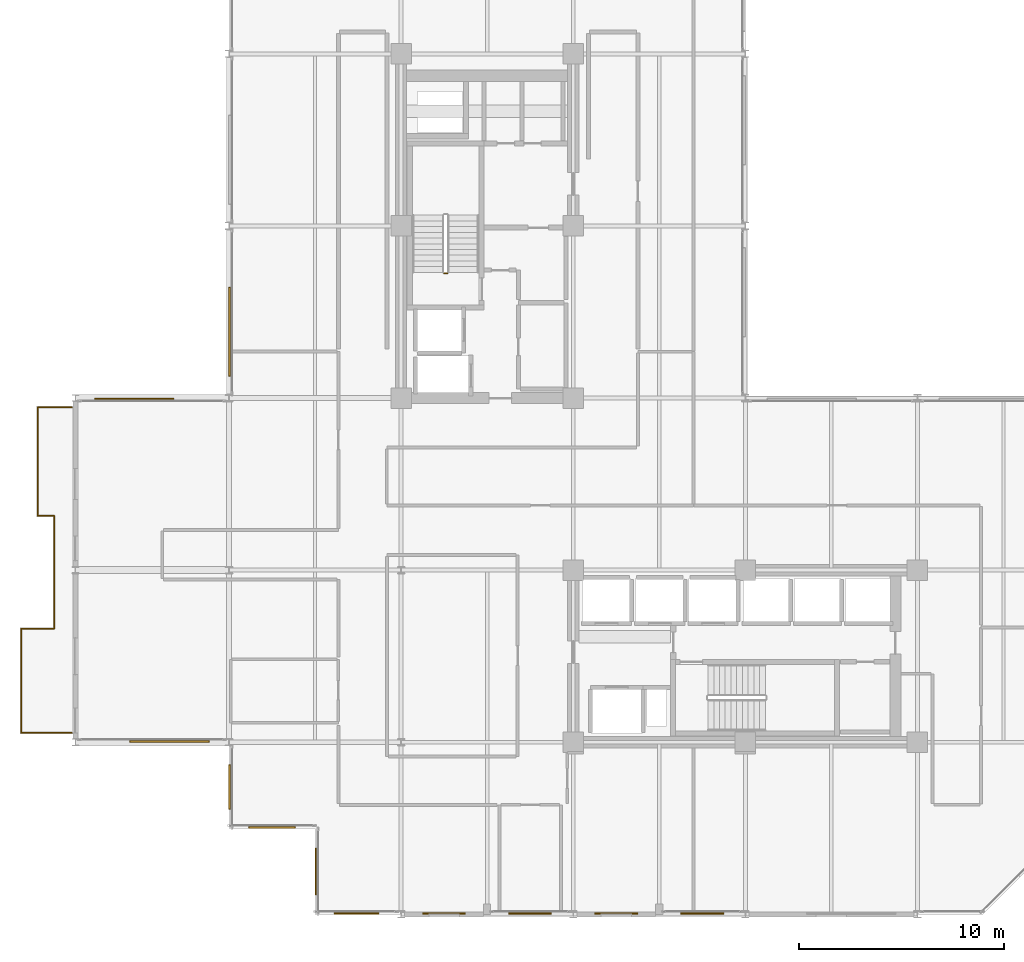
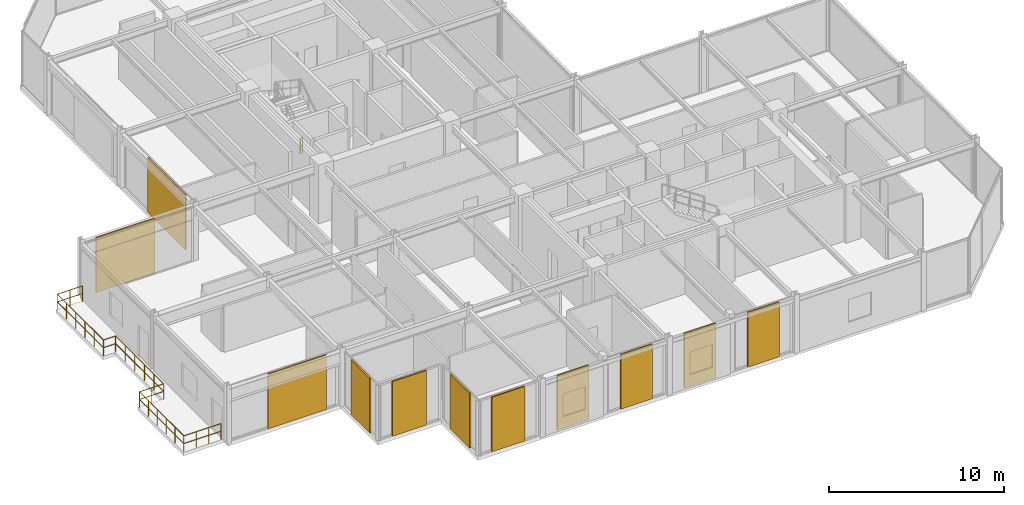
# One storey, part 27 of 29: 11 coverings, 8 railings.
"""IFC4 building model written with IfcOpenShell, lengths in metres."""

import ifcopenshell
import ifcopenshell.guid

model = None  # the IFC model being written
_history = None  # IfcOwnerHistory: only IFC2X3 demands one
_inside = {}  # id of a spatial element -> (the spatial element, [elements in it])
_under = {}  # id of a project, library or spatial element -> (it, [spatial elements below it])
_declared = {}  # id of a project -> (the project, [libraries it declares])
_typed = {}  # id of a type object -> (the type object, [elements of that type])
_made_of = {}  # id of a material, layer set ... -> (it, [elements and type objects made of it])


def new_model(schema):
    """Start an empty IFC model of exactly this schema.

    Asked for "IFC4X3", IfcOpenShell would pick the latest addendum, in which some entities
    have other attributes; the version numbers below select the first issue.
    IFC2X3 requires an IfcOwnerHistory on every rooted entity: one is made here for all.
    """
    global model, _history
    if schema == "IFC4X3":
        model = ifcopenshell.file(schema_version=(4, 3, 0, 0))
    else:
        model = ifcopenshell.file(schema=schema)
    _inside.clear()
    _under.clear()
    _declared.clear()
    _typed.clear()
    _made_of.clear()
    _history = None
    if model.schema == "IFC2X3":
        org = make("IfcOrganization", Name="unknown")
        user = make(
            "IfcPersonAndOrganization",
            ThePerson=make("IfcPerson", FamilyName="unknown"),
            TheOrganization=org,
        )
        app = make(
            "IfcApplication",
            ApplicationDeveloper=org,
            Version="unknown",
            ApplicationFullName="unknown",
            ApplicationIdentifier="unknown",
        )
        _history = make(
            "IfcOwnerHistory",
            OwningUser=user,
            OwningApplication=app,
            ChangeAction="ADDED",
            CreationDate=0,
        )
    return model


def make(cls, **values):
    """One entity of the class cls with the attributes given. An attribute that is None is left unset."""
    return model.create_entity(
        cls, **{name: value for name, value in values.items() if value is not None}
    )


def rooted(cls, **values):
    """An entity with a GlobalId (a new one), such as an element, a storey or a relation."""
    return make(cls, GlobalId=ifcopenshell.guid.new(), OwnerHistory=_history, **values)


def si_unit(unit_type, name, prefix=None):
    """IfcSIUnit, for example si_unit("LENGTHUNIT", "METRE", prefix="MILLI")."""
    return make("IfcSIUnit", UnitType=unit_type, Prefix=prefix, Name=name)


def assignment(units):
    """IfcUnitAssignment: the units of a project."""
    return None if units is None else make("IfcUnitAssignment", Units=units)


def point(xyz):
    """IfcCartesianPoint."""
    return None if xyz is None else make("IfcCartesianPoint", Coordinates=xyz)


def direction(xyz):
    """IfcDirection."""
    return None if xyz is None else make("IfcDirection", DirectionRatios=xyz)


def frame(location, z_axis=None, x_axis=None):
    """IfcAxis2Placement3D, a coordinate frame: its origin and axes. An axis left out is left unset."""
    return make(
        "IfcAxis2Placement3D",
        Location=point(location),
        Axis=direction(z_axis),
        RefDirection=direction(x_axis),
    )


def frame_2d(location, x_axis=None):
    """IfcAxis2Placement2D, a coordinate frame in the plane: its origin and x axis."""
    return make(
        "IfcAxis2Placement2D", Location=point(location), RefDirection=direction(x_axis)
    )


def origin():
    """The frame at (0, 0, 0) with its axes left unset."""
    return frame((0.0, 0.0, 0.0))


def origin_2d():
    """The frame at (0, 0) in the plane with its x axis left unset."""
    return frame_2d((0.0, 0.0))


def place(relative_to, where):
    """IfcLocalPlacement: puts the frame where relative to a parent placement (None: the world)."""
    return make(
        "IfcLocalPlacement", PlacementRelTo=relative_to, RelativePlacement=where
    )


def context(
    kind, dimensions, precision=None, world=None, true_north=None, identifier=None
):
    """IfcGeometricRepresentationContext, for example the 3D "Model" context."""
    return make(
        "IfcGeometricRepresentationContext",
        ContextIdentifier=identifier,
        ContextType=kind,
        CoordinateSpaceDimension=dimensions,
        Precision=precision,
        WorldCoordinateSystem=world,
        TrueNorth=true_north,
    )


def subcontext(parent, identifier, kind, view, scale=None):
    """IfcGeometricRepresentationSubContext, for example "Body" below "Model"."""
    return make(
        "IfcGeometricRepresentationSubContext",
        ContextIdentifier=identifier,
        ContextType=kind,
        ParentContext=parent,
        TargetScale=scale,
        TargetView=view,
    )


def project(units=None, contexts=None):
    """IfcProject with its units and contexts."""
    return rooted(
        "IfcProject",
        Name="project",
        RepresentationContexts=contexts,
        UnitsInContext=assignment(units),
    )


def spatial(cls, under=None, at=None, **own):
    """A site, building, storey or space (cls), placed at a placement, below another one or the project."""
    s = rooted(cls, ObjectPlacement=at, **own)
    if under is not None:
        _under.setdefault(under.id(), (under, []))[1].append(s)
    return s


def profile(cls, at=None, kind="AREA", **sizes):
    """A parametric profile (cls). Its sizes go by their IFC names, for example OverallWidth=200.0."""
    return make(cls, ProfileType=kind, Position=at, **sizes)


def rectangle(**sizes):
    """IfcRectangleProfileDef."""
    return profile("IfcRectangleProfileDef", **sizes)


def circle(**sizes):
    """IfcCircleProfileDef."""
    return profile("IfcCircleProfileDef", **sizes)


def extrude(swept, where, along, depth):
    """IfcExtrudedAreaSolid: the profile swept, set in the frame where, extruded along a direction by depth."""
    return make(
        "IfcExtrudedAreaSolid",
        SweptArea=swept,
        Position=where,
        ExtrudedDirection=direction(along),
        Depth=depth,
    )


def shape(context_of_items, identifier, shape_type, items):
    """IfcShapeRepresentation: the items that make up one representation, for example the "Body"."""
    return make(
        "IfcShapeRepresentation",
        ContextOfItems=context_of_items,
        RepresentationIdentifier=identifier,
        RepresentationType=shape_type,
        Items=items,
    )


def material(Name=None, Category=None):
    """IfcMaterial."""
    return make("IfcMaterial", Name=Name, Category=Category)


def layer(
    of_material, thickness, ventilated=None, Name=None, Category=None, Priority=None
):
    """IfcMaterialLayer: one layer of a wall or slab, of a material (None: an air gap)."""
    return make(
        "IfcMaterialLayer",
        Material=of_material,
        LayerThickness=thickness,
        IsVentilated=ventilated,
        Name=Name,
        Category=Category,
        Priority=Priority,
    )


def layer_set(layers, Name=None):
    """IfcMaterialLayerSet."""
    return make("IfcMaterialLayerSet", MaterialLayers=layers, LayerSetName=Name)


def made_of(thing, what):
    """Note that an element or type object is made of a material, layer set ...; save() writes the relation."""
    if what is not None:
        _made_of.setdefault(what.id(), (what, []))[1].append(thing)
    return thing


def type_object(cls, material=None, **own):
    """A type object (cls), such as IfcWallType, which elements share."""
    return made_of(rooted(cls, **own), material)


def element(
    cls,
    number,
    at=None,
    inside=None,
    cuts=None,
    type_object=None,
    material=None,
    context=None,
    identifier="Body",
    shape_type=None,
    held_by="IfcProductDefinitionShape",
    body=None,
    shapes=None,
    **own,
):
    """One element of the class cls, such as IfcWall. Its Tag is "e" and its number.

    at: its placement. inside: the storey or other place that contains it. cuts: it is an
    opening in that element (IfcRelVoidsElement). A single representation is given by context,
    identifier, shape_type and body (its items); several are given by shapes. held_by: the class
    of the entity that holds the representations. save() writes the other relations.
    """
    e = rooted(cls, Tag="e%d" % number, ObjectPlacement=at, **own)
    if body is not None:
        shapes = [shape(context, identifier, shape_type, body)]
    if shapes is not None:
        e.Representation = make(held_by, Representations=shapes)
    if inside is not None:
        _inside.setdefault(inside.id(), (inside, []))[1].append(e)
    if cuts is not None:
        rooted(
            "IfcRelVoidsElement", RelatingBuildingElement=cuts, RelatedOpeningElement=e
        )
    if type_object is not None:
        _typed.setdefault(type_object.id(), (type_object, []))[1].append(e)
    return made_of(e, material)


def aggregate(whole, parts):
    """IfcRelAggregates: a whole, such as a stair, and the parts it consists of."""
    return rooted("IfcRelAggregates", RelatingObject=whole, RelatedObjects=parts)


def save(model, path):
    """Write the relations noted so far, then the file.

    IfcRelAggregates (storeys below a building ...), IfcRelContainedInSpatialStructure (elements
    in a storey), IfcRelDefinesByType, IfcRelAssociatesMaterial and IfcRelDeclares: one each for
    every whole, place, type object, material and project.
    """
    for whole, parts in _under.values():
        aggregate(whole, parts)
    for where, things in _inside.values():
        rooted(
            "IfcRelContainedInSpatialStructure",
            RelatedElements=things,
            RelatingStructure=where,
        )
    for kind, things in _typed.values():
        rooted("IfcRelDefinesByType", RelatedObjects=things, RelatingType=kind)
    for what, things in _made_of.values():
        rooted("IfcRelAssociatesMaterial", RelatedObjects=things, RelatingMaterial=what)
    for by, libraries in _declared.values():
        rooted("IfcRelDeclares", RelatingContext=by, RelatedDefinitions=libraries)
    model.write(path)


model = new_model("IFC4")

# Units and contexts
model_context = context("Model", 3, precision=1e-05, world=origin(), true_north=direction((0.0, 1.0)))
body_context = subcontext(model_context, "Body", "Model", "MODEL_VIEW")
ifc_project = project(units=[si_unit("LENGTHUNIT", "METRE"), si_unit("AREAUNIT", "SQUARE_METRE"), si_unit("VOLUMEUNIT", "CUBIC_METRE"), si_unit("PLANEANGLEUNIT", "RADIAN"), si_unit("MASSUNIT", "GRAM", prefix="KILO")], contexts=[model_context])

# Site, building, storey
site_placement = place(None, origin())
site = spatial("IfcSite", under=ifc_project, at=site_placement, CompositionType="ELEMENT")
building_placement = place(site_placement, origin())
building = spatial("IfcBuilding", under=site, at=building_placement, Name="Nerrivon Quay Data Exchange", CompositionType="ELEMENT")
storey_placement = place(building_placement, frame((0.0, 0.0, 208.300048828125)))
storey = spatial("IfcBuildingStorey", under=building, at=storey_placement, Name="L49", CompositionType="ELEMENT", Elevation=208.300048828125)

# Coverings
ifc_material_1 = material(Name="Architectural terracotta ceramic", Category="masonry")
ifc_layer = layer(ifc_material_1, 0.090087890625)
ifc_layer_set = layer_set([ifc_layer], Name="Architectural terracotta ceramic")
covering_type = type_object("IfcCoveringType", Name="COV-SCR-TERR", PredefinedType="CLADDING", material=ifc_layer_set)
covering_1_placement = place(storey_placement, frame((-4.6201171875, 25.155029296875, 0.0), z_axis=(0.0, 0.0, 1.0), x_axis=(1.0, 0.0, 0.0)))
element("IfcCovering", 1, at=covering_1_placement, inside=storey, type_object=covering_type, Name="L49 Perforated Terracotta SOLAR SCREEN Cassette", PredefinedType="CLADDING", context=body_context, shape_type="SweptSolid", body=[
    extrude(rectangle(XDim=3.8720703125, YDim=0.090087890625, at=origin_2d()), origin(), (0.0, 0.0, 1.0), 3.824951171875),
])
covering_2_placement = place(storey_placement, frame((0.044921875, 28.43408203125, 0.0), z_axis=(0.0, 0.0, 1.0), x_axis=(0.0, 1.0, 0.0)))
element("IfcCovering", 2, at=covering_2_placement, inside=storey, type_object=covering_type, Name="L49 Perforated Terracotta SOLAR SCREEN Cassette", PredefinedType="CLADDING", context=body_context, shape_type="SweptSolid", body=[
    extrude(rectangle(XDim=4.346923828125, YDim=0.090087890625, at=origin_2d()), origin(), (0.0, 0.0, 1.0), 3.824951171875),
])
for number, where, z_axis, x_axis, name in (
    (3, (23.10009765625, 0.044921875, 0.0), (0.0, 0.0, 1.0), (-1.0, 0.0, 0.0), "L49 Perforated Terracotta SOLAR SCREEN Cassette"),
    (4, (18.89990234375, 0.044921875, 0.0), (0.0, 0.0, 1.0), (-1.0, 0.0, 0.0), "L49 Perforated Terracotta SOLAR SCREEN Cassette"),
    (5, (14.699951171875, 0.044921875, 0.0), (0.0, 0.0, 1.0), (-1.0, 0.0, 0.0), "L49 Perforated Terracotta SOLAR SCREEN Cassette"),
    (6, (10.5, 0.044921875, 0.0), (0.0, 0.0, 1.0), (-1.0, 0.0, 0.0), "L49 Perforated Terracotta SOLAR SCREEN Cassette"),
):
    element("IfcCovering", number, at=place(storey_placement, frame(where, z_axis=z_axis, x_axis=x_axis)), inside=storey, type_object=covering_type, Name=name, PredefinedType="CLADDING", context=body_context, shape_type="SweptSolid", body=[
        extrude(rectangle(XDim=2.0791015625, YDim=0.090087890625, at=origin_2d()), origin(), (0.0, 0.0, 1.0), 3.824951171875),
    ])
covering_3_placement = place(storey_placement, frame((6.21240234375, 0.044921875, 0.0), z_axis=(0.0, 0.0, 1.0), x_axis=(-1.0, 0.0, 0.0)))
element("IfcCovering", 7, at=covering_3_placement, inside=storey, type_object=covering_type, Name="L49 Perforated Terracotta SOLAR SCREEN Cassette", PredefinedType="CLADDING", context=body_context, shape_type="SweptSolid", body=[
    extrude(rectangle(XDim=2.173095703125, YDim=0.090087890625, at=origin_2d()), origin(), (0.0, 0.0, 1.0), 3.824951171875),
])
for number, where, z_axis, x_axis, name in (
    (8, (4.2451171875, 2.10009765625, 0.0), (0.0, 0.0, 1.0), (0.0, 1.0, 0.0), "L49 Perforated Terracotta SOLAR SCREEN Cassette"),
    (9, (2.10009765625, 4.2451171875, 0.0), (0.0, 0.0, 1.0), (-1.0, 0.0, 0.0), "L49 Perforated Terracotta SOLAR SCREEN Cassette"),
):
    element("IfcCovering", number, at=place(storey_placement, frame(where, z_axis=z_axis, x_axis=x_axis)), inside=storey, type_object=covering_type, Name=name, PredefinedType="CLADDING", context=body_context, shape_type="SweptSolid", body=[
        extrude(rectangle(XDim=2.26806640625, YDim=0.090087890625, at=origin_2d()), origin(), (0.0, 0.0, 1.0), 3.824951171875),
    ])
covering_4_placement = place(storey_placement, frame((0.044921875, 6.21240234375, 0.0), z_axis=(0.0, 0.0, 1.0), x_axis=(0.0, 1.0, 0.0)))
element("IfcCovering", 10, at=covering_4_placement, inside=storey, type_object=covering_type, Name="L49 Perforated Terracotta SOLAR SCREEN Cassette", PredefinedType="CLADDING", context=body_context, shape_type="SweptSolid", body=[
    extrude(rectangle(XDim=2.173095703125, YDim=0.090087890625, at=origin_2d()), origin(), (0.0, 0.0, 1.0), 3.824951171875),
])
covering_5_placement = place(storey_placement, frame((-2.8994140625, 8.445068359375, 0.0), z_axis=(0.0, 0.0, 1.0), x_axis=(-1.0, 0.0, 0.0)))
element("IfcCovering", 11, at=covering_5_placement, inside=storey, type_object=covering_type, Name="L49 Perforated Terracotta SOLAR SCREEN Cassette", PredefinedType="CLADDING", context=body_context, shape_type="SweptSolid", body=[
    extrude(rectangle(XDim=3.8720703125, YDim=0.090087890625, at=origin_2d()), origin(), (0.0, 0.0, 1.0), 3.824951171875),
])

# Railings
ifc_material_2 = material(Name="Steel Grade C350L0 (350 MPa)", Category="steel")
railing_type_1 = type_object("IfcRailingType", Name="RAIL-GUARD-GR2", PredefinedType="BALUSTRADE", material=ifc_material_2)
railing_1_placement = place(storey_placement, frame((-7.679931640625, 8.860107421875, 0.0)))
element("IfcRailing", 12, at=railing_1_placement, inside=storey, type_object=railing_type_1, Name="L49 Verandah Balcony Guard 1.1 1", PredefinedType="BALUSTRADE", context=body_context, shape_type="SweptSolid", body=[
    extrude(circle(Radius=0.02392578125, at=origin_2d()), frame((0.0, 0.0, 1.09619140625), z_axis=(-1.0, 0.0, 0.0), x_axis=(0.0, -1.0, 0.0)), (0.0, 0.0, 1.0), 2.4599609375),
    extrude(circle(Radius=0.02392578125, at=origin_2d()), frame((0.0, 0.0, 0.56005859375), z_axis=(-1.0, 0.0, 0.0), x_axis=(0.0, -1.0, 0.0)), (0.0, 0.0, 1.0), 2.4599609375),
    extrude(circle(Radius=0.02099609375, at=origin_2d()), origin(), (0.0, 0.0, 1.0), 1.072021484375),
    extrude(circle(Radius=0.02099609375, at=origin_2d()), frame((-0.820068359375, 0.0, 0.0)), (0.0, 0.0, 1.0), 1.072021484375),
    extrude(circle(Radius=0.02099609375, at=origin_2d()), frame((-1.639892578125, 0.0, 0.0)), (0.0, 0.0, 1.0), 1.072021484375),
    extrude(circle(Radius=0.02099609375, at=origin_2d()), frame((-2.4599609375, 0.0, 0.0)), (0.0, 0.0, 1.0), 1.072021484375),
])
railing_2_placement = place(storey_placement, frame((-10.139892578125, 8.860107421875, 0.0)))
element("IfcRailing", 13, at=railing_2_placement, inside=storey, type_object=railing_type_1, Name="L49 Verandah Balcony Guard 1.2 1", PredefinedType="BALUSTRADE", context=body_context, shape_type="SweptSolid", body=[
    extrude(circle(Radius=0.02392578125, at=origin_2d()), frame((0.0, 0.0, 1.09619140625), z_axis=(0.0, 1.0, 0.0), x_axis=(-1.0, 0.0, 0.0)), (0.0, 0.0, 1.0), 5.079833984375),
    extrude(circle(Radius=0.02392578125, at=origin_2d()), frame((0.0, 0.0, 0.56005859375), z_axis=(0.0, 1.0, 0.0), x_axis=(-1.0, 0.0, 0.0)), (0.0, 0.0, 1.0), 5.079833984375),
    extrude(circle(Radius=0.02099609375, at=origin_2d()), origin(), (0.0, 0.0, 1.0), 1.072021484375),
    extrude(circle(Radius=0.02099609375, at=origin_2d()), frame((0.0, 1.015869140625, 0.0)), (0.0, 0.0, 1.0), 1.072021484375),
    extrude(circle(Radius=0.02099609375, at=origin_2d()), frame((0.0, 2.031982421875, 0.0)), (0.0, 0.0, 1.0), 1.072021484375),
    extrude(circle(Radius=0.02099609375, at=origin_2d()), frame((0.0, 3.0478515625, 0.0)), (0.0, 0.0, 1.0), 1.072021484375),
    extrude(circle(Radius=0.02099609375, at=origin_2d()), frame((0.0, 4.06396484375, 0.0)), (0.0, 0.0, 1.0), 1.072021484375),
    extrude(circle(Radius=0.02099609375, at=origin_2d()), frame((0.0, 5.079833984375, 0.0)), (0.0, 0.0, 1.0), 1.072021484375),
])
railing_3_placement = place(storey_placement, frame((-10.139892578125, 13.93994140625, 0.0)))
element("IfcRailing", 14, at=railing_3_placement, inside=storey, type_object=railing_type_1, Name="L49 Verandah Balcony Guard 1.3 1", PredefinedType="BALUSTRADE", context=body_context, shape_type="SweptSolid", body=[
    extrude(circle(Radius=0.02392578125, at=origin_2d()), frame((0.0, 0.0, 1.09619140625), z_axis=(1.0, 0.0, 0.0), x_axis=(0.0, 1.0, 0.0)), (0.0, 0.0, 1.0), 1.599853515625),
    extrude(circle(Radius=0.02392578125, at=origin_2d()), frame((0.0, 0.0, 0.56005859375), z_axis=(1.0, 0.0, 0.0), x_axis=(0.0, 1.0, 0.0)), (0.0, 0.0, 1.0), 1.599853515625),
    extrude(circle(Radius=0.02099609375, at=origin_2d()), origin(), (0.0, 0.0, 1.0), 1.072021484375),
    extrude(circle(Radius=0.02099609375, at=origin_2d()), frame((0.7998046875, 0.0, 0.0)), (0.0, 0.0, 1.0), 1.072021484375),
    extrude(circle(Radius=0.02099609375, at=origin_2d()), frame((1.599853515625, 0.0, 0.0)), (0.0, 0.0, 1.0), 1.072021484375),
])
railing_4_placement = place(storey_placement, frame((-8.5400390625, 13.93994140625, 0.0)))
element("IfcRailing", 15, at=railing_4_placement, inside=storey, type_object=railing_type_1, Name="L49 Verandah Balcony Guard 1.4 1", PredefinedType="BALUSTRADE", context=body_context, shape_type="SweptSolid", body=[
    extrude(circle(Radius=0.02392578125, at=origin_2d()), frame((0.0, 0.0, 1.09619140625), z_axis=(0.0, 1.0, 0.0), x_axis=(-1.0, 0.0, 0.0)), (0.0, 0.0, 1.0), 5.52001953125),
    extrude(circle(Radius=0.02392578125, at=origin_2d()), frame((0.0, 0.0, 0.56005859375), z_axis=(0.0, 1.0, 0.0), x_axis=(-1.0, 0.0, 0.0)), (0.0, 0.0, 1.0), 5.52001953125),
    extrude(circle(Radius=0.02099609375, at=origin_2d()), origin(), (0.0, 0.0, 1.0), 1.072021484375),
    extrude(circle(Radius=0.02099609375, at=origin_2d()), frame((0.0, 1.10400390625, 0.0)), (0.0, 0.0, 1.0), 1.072021484375),
    extrude(circle(Radius=0.02099609375, at=origin_2d()), frame((0.0, 2.2080078125, 0.0)), (0.0, 0.0, 1.0), 1.072021484375),
    extrude(circle(Radius=0.02099609375, at=origin_2d()), frame((0.0, 3.31201171875, 0.0)), (0.0, 0.0, 1.0), 1.072021484375),
    extrude(circle(Radius=0.02099609375, at=origin_2d()), frame((0.0, 4.416015625, 0.0)), (0.0, 0.0, 1.0), 1.072021484375),
    extrude(circle(Radius=0.02099609375, at=origin_2d()), frame((0.0, 5.52001953125, 0.0)), (0.0, 0.0, 1.0), 1.072021484375),
])
railing_5_placement = place(storey_placement, frame((-8.5400390625, 19.4599609375, 0.0)))
element("IfcRailing", 16, at=railing_5_placement, inside=storey, type_object=railing_type_1, Name="L49 Verandah Balcony Guard 1.5 1", PredefinedType="BALUSTRADE", context=body_context, shape_type="SweptSolid", body=[
    extrude(circle(Radius=0.02392578125, at=origin_2d()), frame((0.0, 0.0, 1.09619140625), z_axis=(-1.0, 0.0, 0.0), x_axis=(0.0, -1.0, 0.0)), (0.0, 0.0, 1.0), 0.800048828125),
    extrude(circle(Radius=0.02392578125, at=origin_2d()), frame((0.0, 0.0, 0.56005859375), z_axis=(-1.0, 0.0, 0.0), x_axis=(0.0, -1.0, 0.0)), (0.0, 0.0, 1.0), 0.800048828125),
    extrude(circle(Radius=0.02099609375, at=origin_2d()), origin(), (0.0, 0.0, 1.0), 1.072021484375),
    extrude(circle(Radius=0.02099609375, at=origin_2d()), frame((-0.800048828125, 0.0, 0.0)), (0.0, 0.0, 1.0), 1.072021484375),
])
railing_6_placement = place(storey_placement, frame((-9.340087890625, 19.4599609375, 0.0)))
element("IfcRailing", 17, at=railing_6_placement, inside=storey, type_object=railing_type_1, Name="L49 Verandah Balcony Guard 1.6 1", PredefinedType="BALUSTRADE", context=body_context, shape_type="SweptSolid", body=[
    extrude(circle(Radius=0.02392578125, at=origin_2d()), frame((0.0, 0.0, 1.09619140625), z_axis=(0.0, 1.0, 0.0), x_axis=(-1.0, 0.0, 0.0)), (0.0, 0.0, 1.0), 5.280029296875),
    extrude(circle(Radius=0.02392578125, at=origin_2d()), frame((0.0, 0.0, 0.56005859375), z_axis=(0.0, 1.0, 0.0), x_axis=(-1.0, 0.0, 0.0)), (0.0, 0.0, 1.0), 5.280029296875),
    extrude(circle(Radius=0.02099609375, at=origin_2d()), origin(), (0.0, 0.0, 1.0), 1.072021484375),
    extrude(circle(Radius=0.02099609375, at=origin_2d()), frame((0.0, 1.055908203125, 0.0)), (0.0, 0.0, 1.0), 1.072021484375),
    extrude(circle(Radius=0.02099609375, at=origin_2d()), frame((0.0, 2.112060546875, 0.0)), (0.0, 0.0, 1.0), 1.072021484375),
    extrude(circle(Radius=0.02099609375, at=origin_2d()), frame((0.0, 3.16796875, 0.0)), (0.0, 0.0, 1.0), 1.072021484375),
    extrude(circle(Radius=0.02099609375, at=origin_2d()), frame((0.0, 4.22412109375, 0.0)), (0.0, 0.0, 1.0), 1.072021484375),
    extrude(circle(Radius=0.02099609375, at=origin_2d()), frame((0.0, 5.280029296875, 0.0)), (0.0, 0.0, 1.0), 1.072021484375),
])
railing_7_placement = place(storey_placement, frame((-9.340087890625, 24.739990234375, 0.0)))
element("IfcRailing", 18, at=railing_7_placement, inside=storey, type_object=railing_type_1, Name="L49 Verandah Balcony Guard 1.7 1", PredefinedType="BALUSTRADE", context=body_context, shape_type="SweptSolid", body=[
    extrude(circle(Radius=0.02392578125, at=origin_2d()), frame((0.0, 0.0, 1.09619140625), z_axis=(1.0, 0.0, 0.0), x_axis=(0.0, 1.0, 0.0)), (0.0, 0.0, 1.0), 1.66015625),
    extrude(circle(Radius=0.02392578125, at=origin_2d()), frame((0.0, 0.0, 0.56005859375), z_axis=(1.0, 0.0, 0.0), x_axis=(0.0, 1.0, 0.0)), (0.0, 0.0, 1.0), 1.66015625),
    extrude(circle(Radius=0.02099609375, at=origin_2d()), origin(), (0.0, 0.0, 1.0), 1.072021484375),
    extrude(circle(Radius=0.02099609375, at=origin_2d()), frame((0.830078125, 0.0, 0.0)), (0.0, 0.0, 1.0), 1.072021484375),
    extrude(circle(Radius=0.02099609375, at=origin_2d()), frame((1.66015625, 0.0, 0.0)), (0.0, 0.0, 1.0), 1.072021484375),
])
railing_type_2 = type_object("IfcRailingType", Name="RAIL-STAIR-GR1", PredefinedType="BALUSTRADE", material=ifc_material_2)
railing_8_placement = place(storey_placement, frame((10.64990234375, 31.280029296875, 0.0)))
element("IfcRailing", 19, at=railing_8_placement, inside=storey, type_object=railing_type_2, Name="L49 ST01 stair guard 4", PredefinedType="BALUSTRADE", context=body_context, shape_type="SweptSolid", body=[
    extrude(circle(Radius=0.02392578125, at=origin_2d()), frame((0.0, 0.0, 1.076171875), z_axis=(-1.0, 0.0, 0.0), x_axis=(0.0, -1.0, 0.0)), (0.0, 0.0, 1.0), 0.14990234375),
    extrude(circle(Radius=0.02392578125, at=origin_2d()), frame((0.0, 0.0, 0.550048828125), z_axis=(-1.0, 0.0, 0.0), x_axis=(0.0, -1.0, 0.0)), (0.0, 0.0, 1.0), 0.14990234375),
    extrude(circle(Radius=0.02099609375, at=origin_2d()), origin(), (0.0, 0.0, 1.0), 1.052001953125),
    extrude(circle(Radius=0.02099609375, at=origin_2d()), frame((-0.14990234375, 0.0, 0.0)), (0.0, 0.0, 1.0), 1.052001953125),
])

save(model, "model.ifc")
